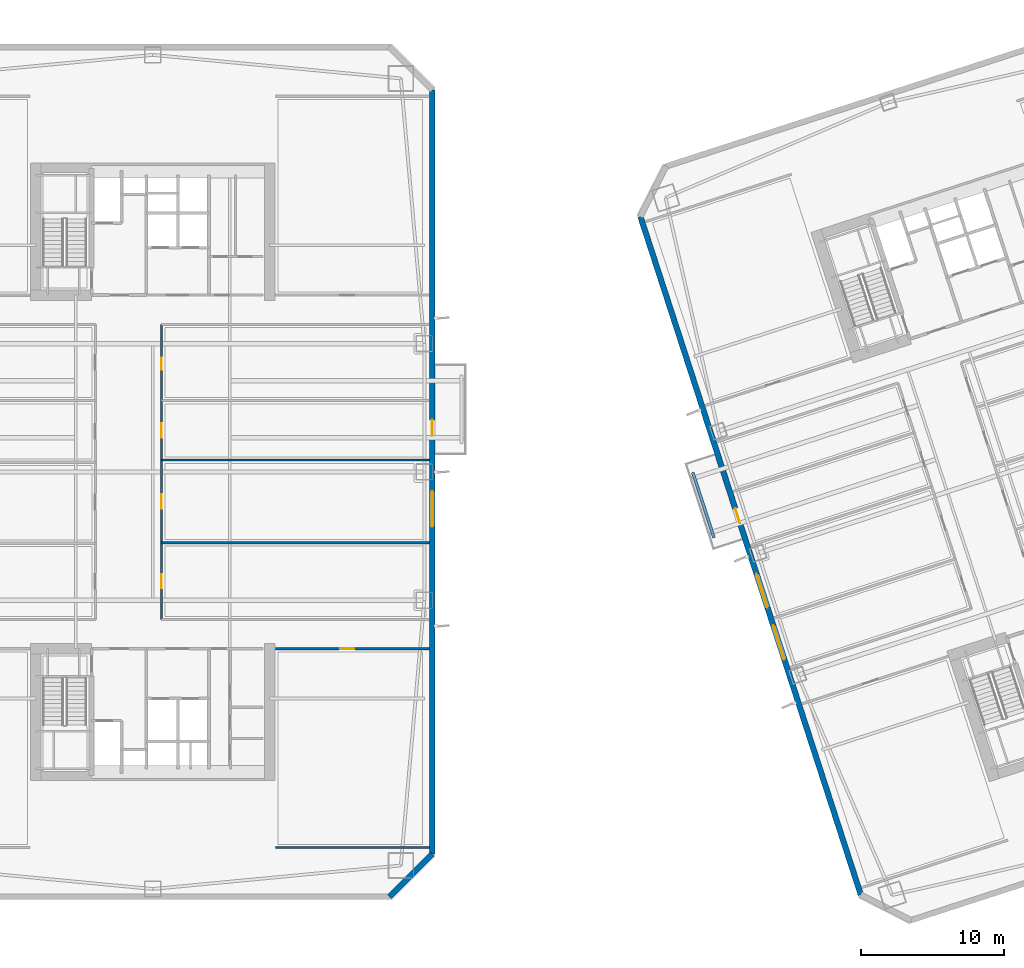
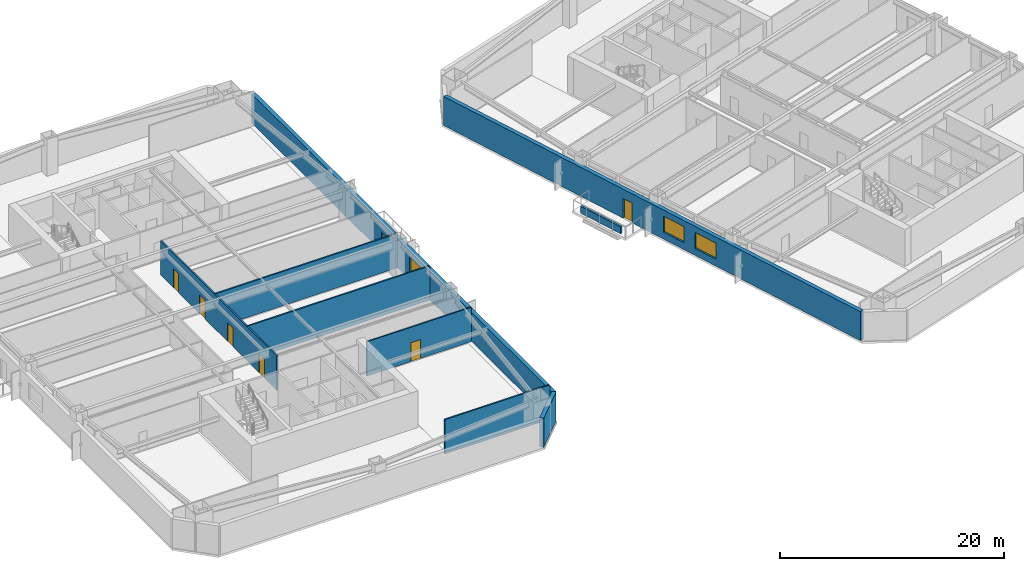
# One storey, part 5 of 21: 9 walls, 7 doors, 3 windows, 10 openings.
"""IFC4 building model written with IfcOpenShell, lengths in metres."""

from ifc_helpers import new_model, si_unit, direction, frame, frame_2d, origin, place, context, subcontext, project, spatial, rectangle, extrude, material, layer, layer_set, type_object, element, fill, save


model = new_model("IFC4")

# Units and contexts
model_context = context("Model", 3, precision=1e-05, world=origin(), true_north=direction((0.0, 1.0)))
body_context = subcontext(model_context, "Body", "Model", "MODEL_VIEW")
ifc_project = project(units=[si_unit("LENGTHUNIT", "METRE"), si_unit("AREAUNIT", "SQUARE_METRE"), si_unit("VOLUMEUNIT", "CUBIC_METRE"), si_unit("PLANEANGLEUNIT", "RADIAN"), si_unit("MASSUNIT", "GRAM", prefix="KILO")], contexts=[model_context])

# Site, building, storey
site_placement = place(None, origin())
site = spatial("IfcSite", under=ifc_project, at=site_placement, CompositionType="ELEMENT")
building_placement = place(site_placement, origin())
building = spatial("IfcBuilding", under=site, at=building_placement, Name="Qiaolan Cultural Towers", CompositionType="ELEMENT")
storey_placement = place(building_placement, frame((0.0, 0.0, 34.0)))
storey = spatial("IfcBuildingStorey", under=building, at=storey_placement, Name="L07", CompositionType="ELEMENT", Elevation=34.0)

# Wall, openings, door, window
ifc_material_1 = material(Name="Precast Concrete C50 Honed Stone Pier", Category="masonry")
ifc_layer_1 = layer(ifc_material_1, 0.39990234375)
ifc_layer_set_1 = layer_set([ifc_layer_1], Name="Precast Concrete C50 Honed Stone Pier")
wall_type_1 = type_object("IfcWallType", Name="WL-EXT-PIER-400", PredefinedType="SOLIDWALL", material=ifc_layer_set_1)
wall_1_placement = place(storey_placement, frame((49.60009765625, 60.800048828125, 0.0), z_axis=(0.0, 0.0, 1.0), x_axis=(0.0, -1.0, 0.0)))
wall_1 = element("IfcWall", 1, at=wall_1_placement, inside=storey, type_object=wall_type_1, Name="L07 West Tower Precast Pier Facade Wall F5", PredefinedType="SOLIDWALL", context=body_context, shape_type="SweptSolid", body=[
    extrude(rectangle(XDim=53.60009765625, YDim=0.39990234375, at=frame_2d((26.800048828125, 0.0))), origin(), (0.0, 0.0, 1.0), 3.159912109375),
])
opening_1_placement = place(wall_1_placement, frame((28.14990234375, 0.0, 0.75)))
opening_1 = element("IfcOpeningElement", 2, at=opening_1_placement, cuts=wall_1, Name="Opening W-01", PredefinedType="OPENING", context=body_context, shape_type="SweptSolid", body=[
    extrude(rectangle(XDim=2.5, YDim=1.75, at=frame_2d((1.25, 0.875))), frame((0.0, 0.2099609375, 0.0), z_axis=(0.0, -1.0, 0.0), x_axis=(1.0, 0.0, 0.0)), (0.0, 0.0, 1.0), 0.419921875),
])
opening_2_placement = place(wall_1_placement, frame((23.14990234375, 0.0, 0.0)))
opening_2 = element("IfcOpeningElement", 3, at=opening_2_placement, cuts=wall_1, Name="Opening BD-01", PredefinedType="OPENING", context=body_context, shape_type="SweptSolid", body=[
    extrude(rectangle(XDim=1.10009765625, YDim=2.14990234375, at=frame_2d((0.550048828125, 1.074951171875))), frame((0.0, 0.2099609375, 0.0), z_axis=(0.0, -1.0, 0.0), x_axis=(1.0, 0.0, 0.0)), (0.0, 0.0, 1.0), 0.419921875),
])
ifc_material_2 = material(Name="Thermally Broken Aluminium Glazed Terrace Door", Category="aluminium")
door_type_1 = type_object("IfcDoorType", Name="DR-BAL-1100", OperationType="NOTDEFINED", PredefinedType="DOOR", material=ifc_material_2)
door_1_placement = place(opening_2_placement, origin())
door_1 = element("IfcDoor", 4, at=door_1_placement, inside=storey, type_object=door_type_1, Name="L07 T1 East Tree Balcony Door", OperationType="SINGLE_SWING_RIGHT", OverallHeight=2.14990234375, OverallWidth=1.10009765625, PredefinedType="DOOR", context=body_context, shape_type="SweptSolid", body=[
    extrude(rectangle(XDim=1.10009765625, YDim=2.14990234375, at=frame_2d((0.550048828125, 1.074951171875))), frame((0.0, 0.02490234375, 0.0), z_axis=(0.0, -1.0, 0.0), x_axis=(1.0, 0.0, 0.0)), (0.0, 0.0, 1.0), 0.050048828125),
])
fill(opening_2, door_1)
ifc_material_3 = material(Name="Thermally Broken Aluminium Triple Low-E Glazing", Category="aluminium")
window_type = type_object("IfcWindowType", Name="WN-CHIC-2500", PartitioningType="SINGLE_PANEL", PredefinedType="WINDOW", material=ifc_material_3)
window_1_placement = place(opening_1_placement, origin())
window_1 = element("IfcWindow", 5, at=window_1_placement, inside=storey, type_object=window_type, Name="L07 T1 E Chicago Bay Window 1", OverallHeight=1.75, OverallWidth=2.5, PartitioningType="TRIPLE_PANEL_VERTICAL", PredefinedType="WINDOW", context=body_context, shape_type="SweptSolid", body=[
    extrude(rectangle(XDim=2.5, YDim=1.75, at=frame_2d((1.25, 0.875))), frame((0.0, 0.030029296875, 0.0), z_axis=(0.0, -1.0, 0.0), x_axis=(1.0, 0.0, 0.0)), (0.0, 0.0, 1.0), 0.06005859375),
])
fill(opening_1, window_1)

# Wall
wall_2_placement = place(storey_placement, frame((49.60009765625, 7.199951171875, 0.0), z_axis=(0.0, 0.0, 1.0), x_axis=(-0.707106781187, -0.707106781187, 0.0)))
element("IfcWall", 6, at=wall_2_placement, inside=storey, type_object=wall_type_1, Name="L07 West Tower Precast Pier Facade Wall F6", PredefinedType="SOLIDWALL", context=body_context, shape_type="SweptSolid", body=[
    extrude(rectangle(XDim=4.24267578125, YDim=0.39990234375, at=frame_2d((2.121337890625, 0.0))), origin(), (0.0, 0.0, 1.0), 3.159912109375),
])

# Wall, openings, door, windows
wall_3_placement = place(storey_placement, frame((79.6552734375, 4.352294921875, 0.0), z_axis=(0.0, 0.0, 1.0), x_axis=(-0.309014526607, 0.951057318118, 0.0)))
wall_3 = element("IfcWall", 7, at=wall_3_placement, inside=storey, type_object=wall_type_1, Name="L07 East Tower Precast Pier Facade Wall F1", PredefinedType="SOLIDWALL", context=body_context, shape_type="SweptSolid", body=[
    extrude(rectangle(XDim=49.999755859375, YDim=0.39990234375, at=frame_2d((25.0, 0.0))), origin(), (0.0, 0.0, 1.0), 3.159912109375),
])
opening_3_placement = place(wall_3_placement, frame((17.35009765625, 0.0, 0.75)))
opening_3 = element("IfcOpeningElement", 8, at=opening_3_placement, cuts=wall_3, Name="Opening W-01", PredefinedType="OPENING", context=body_context, shape_type="SweptSolid", body=[
    extrude(rectangle(XDim=2.5, YDim=1.75, at=frame_2d((1.25, 0.875))), frame((0.0, 0.2099609375, 0.0), z_axis=(0.0, -1.0, 0.0), x_axis=(1.0, 0.0, 0.0)), (0.0, 0.0, 1.0), 0.419921875),
])
opening_4_placement = place(wall_3_placement, frame((21.14990234375, 0.0, 0.75)))
opening_4 = element("IfcOpeningElement", 9, at=opening_4_placement, cuts=wall_3, Name="Opening W-01", PredefinedType="OPENING", context=body_context, shape_type="SweptSolid", body=[
    extrude(rectangle(XDim=2.5, YDim=1.75, at=frame_2d((1.25, 0.875))), frame((0.0, 0.2099609375, 0.0), z_axis=(0.0, -1.0, 0.0), x_axis=(1.0, 0.0, 0.0)), (0.0, 0.0, 1.0), 0.419921875),
])
opening_5_placement = place(wall_3_placement, frame((27.379638671875, 0.0, 0.0)))
opening_5 = element("IfcOpeningElement", 10, at=opening_5_placement, cuts=wall_3, Name="Opening BD-01", PredefinedType="OPENING", context=body_context, shape_type="SweptSolid", body=[
    extrude(rectangle(XDim=1.10009765625, YDim=2.14990234375, at=frame_2d((0.550048828125, 1.074951171875))), frame((0.0, 0.2099609375, 0.0), z_axis=(0.0, -1.0, 0.0), x_axis=(1.0, 0.0, 0.0)), (0.0, 0.0, 1.0), 0.419921875),
])
door_2_placement = place(opening_5_placement, origin())
door_2 = element("IfcDoor", 11, at=door_2_placement, inside=storey, type_object=door_type_1, Name="L07 T2 West Tree Balcony Door", OperationType="SINGLE_SWING_LEFT", OverallHeight=2.14990234375, OverallWidth=1.10009765625, PredefinedType="DOOR", context=body_context, shape_type="SweptSolid", body=[
    extrude(rectangle(XDim=1.10009765625, YDim=2.14990234375, at=frame_2d((0.550048828125, 1.074951171875))), frame((0.0, 0.02490234375, 0.0), z_axis=(0.0, -1.0, 0.0), x_axis=(1.0, 0.0, 0.0)), (0.0, 0.0, 1.0), 0.050048828125),
])
fill(opening_5, door_2)
window_2_placement = place(opening_3_placement, origin())
window_2 = element("IfcWindow", 12, at=window_2_placement, inside=storey, type_object=window_type, Name="L07 T2 W Chicago Bay Window 1", OverallHeight=1.75, OverallWidth=2.5, PartitioningType="TRIPLE_PANEL_VERTICAL", PredefinedType="WINDOW", context=body_context, shape_type="SweptSolid", body=[
    extrude(rectangle(XDim=2.5, YDim=1.75, at=frame_2d((1.25, 0.875))), frame((0.0, 0.030029296875, 0.0), z_axis=(0.0, -1.0, 0.0), x_axis=(1.0, 0.0, 0.0)), (0.0, 0.0, 1.0), 0.06005859375),
])
fill(opening_3, window_2)
window_3_placement = place(opening_4_placement, origin())
window_3 = element("IfcWindow", 13, at=window_3_placement, inside=storey, type_object=window_type, Name="L07 T2 W Chicago Bay Window 2", OverallHeight=1.75, OverallWidth=2.5, PartitioningType="TRIPLE_PANEL_VERTICAL", PredefinedType="WINDOW", context=body_context, shape_type="SweptSolid", body=[
    extrude(rectangle(XDim=2.5, YDim=1.75, at=frame_2d((1.25, 0.875))), frame((0.0, 0.030029296875, 0.0), z_axis=(0.0, -1.0, 0.0), x_axis=(1.0, 0.0, 0.0)), (0.0, 0.0, 1.0), 0.06005859375),
])
fill(opening_4, window_3)

# Wall
ifc_material_4 = material(Name="Autoclaved Aerated Concrete Block B06", Category="concrete")
ifc_layer_2 = layer(ifc_material_4, 0.14990234375)
ifc_layer_set_2 = layer_set([ifc_layer_2], Name="Autoclaved Aerated Concrete Block B06")
wall_type_2 = type_object("IfcWallType", Name="WL-PART-150", PredefinedType="PARTITIONING", material=ifc_layer_set_2)
wall_4_placement = place(storey_placement, frame((38.60009765625, 7.64990234375, 0.0), z_axis=(0.0, 0.0, 1.0), x_axis=(1.0, 0.0, 0.0)))
element("IfcWall", 14, at=wall_4_placement, inside=storey, type_object=wall_type_2, Name="L07 T1 Flank Wall FLK-SE", PredefinedType="PARTITIONING", context=body_context, shape_type="SweptSolid", body=[
    extrude(rectangle(XDim=10.7998046875, YDim=0.14990234375, at=frame_2d((5.39990234375, 0.0))), origin(), (0.0, 0.0, 1.0), 3.72509765625),
])

# Wall, opening, door
wall_5_placement = place(storey_placement, frame((38.60009765625, 21.60009765625, 0.0), z_axis=(0.0, 0.0, 1.0), x_axis=(1.0, 0.0, 0.0)))
wall_5 = element("IfcWall", 15, at=wall_5_placement, inside=storey, type_object=wall_type_2, Name="L07 T1 Flank Front FLK-SE", PredefinedType="PARTITIONING", context=body_context, shape_type="SweptSolid", body=[
    extrude(rectangle(XDim=10.7998046875, YDim=0.14990234375, at=frame_2d((5.39990234375, 0.0))), origin(), (0.0, 0.0, 1.0), 3.72509765625),
])
opening_6_placement = place(wall_5_placement, frame((4.535888671875, 0.0, 0.0)))
opening_6 = element("IfcOpeningElement", 16, at=opening_6_placement, cuts=wall_5, Name="Opening ID-04", PredefinedType="OPENING", context=body_context, shape_type="SweptSolid", body=[
    extrude(rectangle(XDim=1.0, YDim=2.050048828125, at=frame_2d((0.5, 1.02490234375))), frame((0.0, 0.0849609375, 0.0), z_axis=(0.0, -1.0, 0.0), x_axis=(1.0, 0.0, 0.0)), (0.0, 0.0, 1.0), 0.169921875),
])
ifc_material_5 = material(Name="Oak Veneer Acoustic Office Door", Category="timber")
door_type_2 = type_object("IfcDoorType", Name="DR-INT-1000", OperationType="NOTDEFINED", PredefinedType="DOOR", material=ifc_material_5)
door_3_placement = place(opening_6_placement, origin())
door_3 = element("IfcDoor", 17, at=door_3_placement, inside=storey, type_object=door_type_2, Name="L07 T1 Corner Studio Door", OperationType="SINGLE_SWING_LEFT", OverallHeight=2.050048828125, OverallWidth=1.0, PredefinedType="DOOR", context=body_context, shape_type="SweptSolid", body=[
    extrude(rectangle(XDim=1.0, YDim=2.050048828125, at=frame_2d((0.5, 1.02490234375))), frame((0.0, 0.02490234375, 0.0), z_axis=(0.0, -1.0, 0.0), x_axis=(1.0, 0.0, 0.0)), (0.0, 0.0, 1.0), 0.050048828125),
])
fill(opening_6, door_3)

# Wall, openings, doors
wall_6_placement = place(storey_placement, frame((30.625, 23.64990234375, 0.0), z_axis=(0.0, 0.0, 1.0), x_axis=(0.0, 1.0, 0.0)))
wall_6 = element("IfcWall", 18, at=wall_6_placement, inside=storey, type_object=wall_type_2, Name="L07 T1 East Spine Wall", PredefinedType="PARTITIONING", context=body_context, shape_type="SweptSolid", body=[
    extrude(rectangle(XDim=20.7001953125, YDim=0.14990234375, at=frame_2d((10.35009765625, 0.0))), origin(), (0.0, 0.0, 1.0), 3.72509765625),
])
opening_7_placement = place(wall_6_placement, frame((2.19091796875, 0.0, 0.0)))
opening_7 = element("IfcOpeningElement", 19, at=opening_7_placement, cuts=wall_6, Name="Opening ID-04", PredefinedType="OPENING", context=body_context, shape_type="SweptSolid", body=[
    extrude(rectangle(XDim=1.0, YDim=2.050048828125, at=frame_2d((0.5, 1.02490234375))), frame((0.0, 0.0849609375, 0.0), z_axis=(0.0, -1.0, 0.0), x_axis=(1.0, 0.0, 0.0)), (0.0, 0.0, 1.0), 0.169921875),
])
opening_8_placement = place(wall_6_placement, frame((7.780029296875, 0.0, 0.0)))
opening_8 = element("IfcOpeningElement", 20, at=opening_8_placement, cuts=wall_6, Name="Opening ID-04", PredefinedType="OPENING", context=body_context, shape_type="SweptSolid", body=[
    extrude(rectangle(XDim=1.0, YDim=2.050048828125, at=frame_2d((0.5, 1.02490234375))), frame((0.0, 0.0849609375, 0.0), z_axis=(0.0, -1.0, 0.0), x_axis=(1.0, 0.0, 0.0)), (0.0, 0.0, 1.0), 0.169921875),
])
opening_9_placement = place(wall_6_placement, frame((12.763916015625, 0.0, 0.0)))
opening_9 = element("IfcOpeningElement", 21, at=opening_9_placement, cuts=wall_6, Name="Opening ID-04", PredefinedType="OPENING", context=body_context, shape_type="SweptSolid", body=[
    extrude(rectangle(XDim=1.0, YDim=2.050048828125, at=frame_2d((0.5, 1.02490234375))), frame((0.0, 0.0849609375, 0.0), z_axis=(0.0, -1.0, 0.0), x_axis=(1.0, 0.0, 0.0)), (0.0, 0.0, 1.0), 0.169921875),
])
opening_10_placement = place(wall_6_placement, frame((17.52490234375, 0.0, 0.0)))
opening_10 = element("IfcOpeningElement", 22, at=opening_10_placement, cuts=wall_6, Name="Opening ID-09", PredefinedType="OPENING", context=body_context, shape_type="SweptSolid", body=[
    extrude(rectangle(XDim=0.85009765625, YDim=2.050048828125, at=frame_2d((0.425048828125, 1.02490234375))), frame((0.0, 0.0849609375, 0.0), z_axis=(0.0, -1.0, 0.0), x_axis=(1.0, 0.0, 0.0)), (0.0, 0.0, 1.0), 0.169921875),
])
door_4_placement = place(opening_7_placement, origin())
door_4 = element("IfcDoor", 23, at=door_4_placement, inside=storey, type_object=door_type_2, Name="L07 T1 Design Office Door", OperationType="SINGLE_SWING_RIGHT", OverallHeight=2.050048828125, OverallWidth=1.0, PredefinedType="DOOR", context=body_context, shape_type="SweptSolid", body=[
    extrude(rectangle(XDim=1.0, YDim=2.050048828125, at=frame_2d((0.5, 1.02490234375))), frame((0.0, 0.02490234375, 0.0), z_axis=(0.0, -1.0, 0.0), x_axis=(1.0, 0.0, 0.0)), (0.0, 0.0, 1.0), 0.050048828125),
])
fill(opening_7, door_4)
door_5_placement = place(opening_8_placement, origin())
door_5 = element("IfcDoor", 24, at=door_5_placement, inside=storey, type_object=door_type_2, Name="L07 T1 Boardroom Door", OperationType="SINGLE_SWING_LEFT", OverallHeight=2.050048828125, OverallWidth=1.0, PredefinedType="DOOR", context=body_context, shape_type="SweptSolid", body=[
    extrude(rectangle(XDim=1.0, YDim=2.050048828125, at=frame_2d((0.5, 1.02490234375))), frame((0.0, 0.02490234375, 0.0), z_axis=(0.0, -1.0, 0.0), x_axis=(1.0, 0.0, 0.0)), (0.0, 0.0, 1.0), 0.050048828125),
])
fill(opening_8, door_5)
door_6_placement = place(opening_9_placement, origin())
door_6 = element("IfcDoor", 25, at=door_6_placement, inside=storey, type_object=door_type_2, Name="L07 T1 Tea Pantry Door", OperationType="SINGLE_SWING_RIGHT", OverallHeight=2.050048828125, OverallWidth=1.0, PredefinedType="DOOR", context=body_context, shape_type="SweptSolid", body=[
    extrude(rectangle(XDim=1.0, YDim=2.050048828125, at=frame_2d((0.5, 1.02490234375))), frame((0.0, 0.02490234375, 0.0), z_axis=(0.0, -1.0, 0.0), x_axis=(1.0, 0.0, 0.0)), (0.0, 0.0, 1.0), 0.050048828125),
])
fill(opening_9, door_6)
ifc_material_6 = material(Name="Moisture-Resistant Laminate Utility Door", Category="timber")
door_type_3 = type_object("IfcDoorType", Name="DR-INT-850", OperationType="NOTDEFINED", PredefinedType="DOOR", material=ifc_material_6)
door_7_placement = place(opening_10_placement, origin())
door_7 = element("IfcDoor", 26, at=door_7_placement, inside=storey, type_object=door_type_3, Name="L07 T1 Design Office Door", OperationType="SINGLE_SWING_LEFT", OverallHeight=2.050048828125, OverallWidth=0.85009765625, PredefinedType="DOOR", context=body_context, shape_type="SweptSolid", body=[
    extrude(rectangle(XDim=0.85009765625, YDim=2.050048828125, at=frame_2d((0.425048828125, 1.02490234375))), frame((0.0, 0.02490234375, 0.0), z_axis=(0.0, -1.0, 0.0), x_axis=(1.0, 0.0, 0.0)), (0.0, 0.0, 1.0), 0.050048828125),
])
fill(opening_10, door_7)

# Walls
for number, where, z_axis, x_axis, name in (
    (27, (30.625, 29.031982421875, 0.0), (0.0, 0.0, 1.0), (1.0, 0.0, 0.0), "L07 T1 East Partition 1"),
    (28, (30.625, 34.827880859375, 0.0), (0.0, 0.0, 1.0), (1.0, 0.0, 0.0), "L07 T1 East Partition 2"),
):
    element("IfcWall", number, at=place(storey_placement, frame(where, z_axis=z_axis, x_axis=x_axis)), inside=storey, type_object=wall_type_2, Name=name, PredefinedType="PARTITIONING", context=body_context, shape_type="SweptSolid", body=[
        extrude(rectangle(XDim=18.77490234375, YDim=0.14990234375, at=frame_2d((9.387451171875, 0.0))), origin(), (0.0, 0.0, 1.0), 3.72509765625),
    ])
ifc_material_7 = material(Name="Precast Concrete C45 Tree Planter Upstand", Category="concrete")
ifc_layer_3 = layer(ifc_material_7, 0.199951171875)
ifc_layer_set_3 = layer_set([ifc_layer_3], Name="Precast Concrete C45 Tree Planter Upstand")
wall_type_3 = type_object("IfcWallType", Name="WL-PLANTER-200", PredefinedType="PARAPET", material=ifc_layer_set_3)
wall_7_placement = place(storey_placement, frame((69.3623046875, 29.397216796875, 0.0), z_axis=(0.0, 0.0, 1.0), x_axis=(-0.309032019345, 0.951051634255, 0.0)))
element("IfcWall", 29, at=wall_7_placement, inside=storey, type_object=wall_type_3, Name="L07 T2 Tree Balcony Soil Planter Box W", PredefinedType="PARAPET", context=body_context, shape_type="SweptSolid", body=[
    extrude(rectangle(XDim=4.800048828125, YDim=0.199951171875, at=frame_2d((2.39990234375, 0.0))), origin(), (0.0, 0.0, 1.0), 0.75),
])

save(model, "model.ifc")
